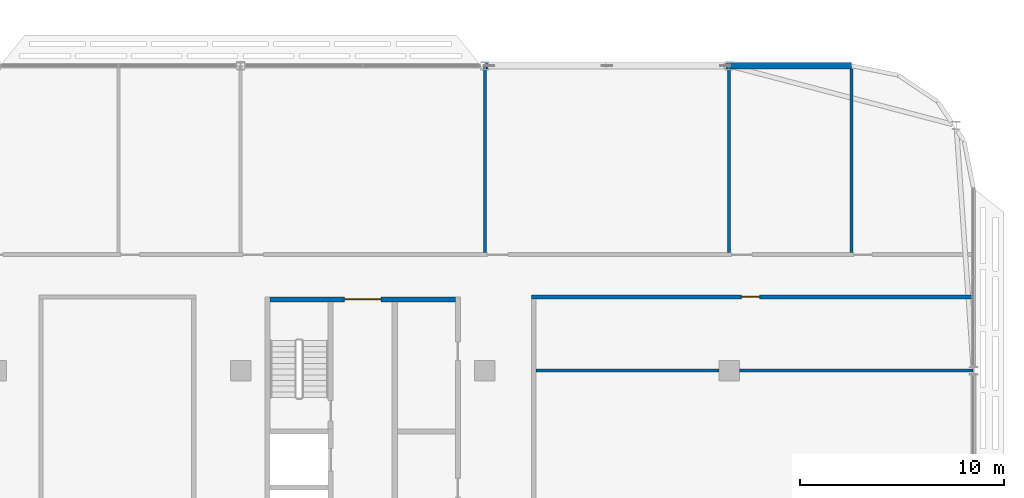
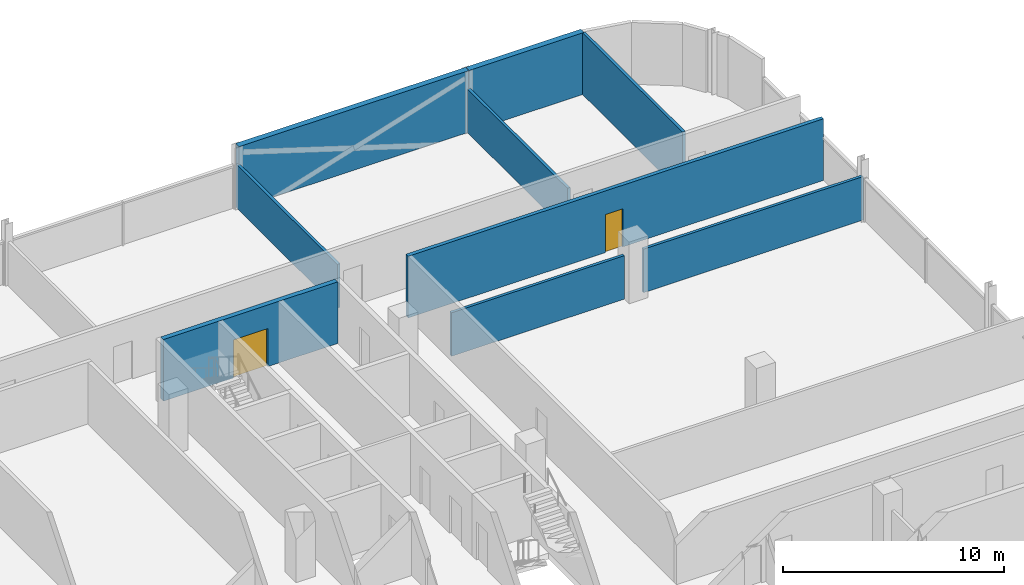
# One storey, part 22 of 33: 9 walls, 2 doors, 2 openings.
"""IFC4 building model written with IfcOpenShell, lengths in metres."""

import ifcopenshell
import ifcopenshell.guid

model = None  # the IFC model being written
_history = None  # IfcOwnerHistory: only IFC2X3 demands one
_inside = {}  # id of a spatial element -> (the spatial element, [elements in it])
_under = {}  # id of a project, library or spatial element -> (it, [spatial elements below it])
_declared = {}  # id of a project -> (the project, [libraries it declares])
_typed = {}  # id of a type object -> (the type object, [elements of that type])
_made_of = {}  # id of a material, layer set ... -> (it, [elements and type objects made of it])


def new_model(schema):
    """Start an empty IFC model of exactly this schema.

    Asked for "IFC4X3", IfcOpenShell would pick the latest addendum, in which some entities
    have other attributes; the version numbers below select the first issue.
    IFC2X3 requires an IfcOwnerHistory on every rooted entity: one is made here for all.
    """
    global model, _history
    if schema == "IFC4X3":
        model = ifcopenshell.file(schema_version=(4, 3, 0, 0))
    else:
        model = ifcopenshell.file(schema=schema)
    _inside.clear()
    _under.clear()
    _declared.clear()
    _typed.clear()
    _made_of.clear()
    _history = None
    if model.schema == "IFC2X3":
        org = make("IfcOrganization", Name="unknown")
        user = make(
            "IfcPersonAndOrganization",
            ThePerson=make("IfcPerson", FamilyName="unknown"),
            TheOrganization=org,
        )
        app = make(
            "IfcApplication",
            ApplicationDeveloper=org,
            Version="unknown",
            ApplicationFullName="unknown",
            ApplicationIdentifier="unknown",
        )
        _history = make(
            "IfcOwnerHistory",
            OwningUser=user,
            OwningApplication=app,
            ChangeAction="ADDED",
            CreationDate=0,
        )
    return model


def make(cls, **values):
    """One entity of the class cls with the attributes given. An attribute that is None is left unset."""
    return model.create_entity(
        cls, **{name: value for name, value in values.items() if value is not None}
    )


def rooted(cls, **values):
    """An entity with a GlobalId (a new one), such as an element, a storey or a relation."""
    return make(cls, GlobalId=ifcopenshell.guid.new(), OwnerHistory=_history, **values)


def si_unit(unit_type, name, prefix=None):
    """IfcSIUnit, for example si_unit("LENGTHUNIT", "METRE", prefix="MILLI")."""
    return make("IfcSIUnit", UnitType=unit_type, Prefix=prefix, Name=name)


def assignment(units):
    """IfcUnitAssignment: the units of a project."""
    return None if units is None else make("IfcUnitAssignment", Units=units)


def point(xyz):
    """IfcCartesianPoint."""
    return None if xyz is None else make("IfcCartesianPoint", Coordinates=xyz)


def direction(xyz):
    """IfcDirection."""
    return None if xyz is None else make("IfcDirection", DirectionRatios=xyz)


def frame(location, z_axis=None, x_axis=None):
    """IfcAxis2Placement3D, a coordinate frame: its origin and axes. An axis left out is left unset."""
    return make(
        "IfcAxis2Placement3D",
        Location=point(location),
        Axis=direction(z_axis),
        RefDirection=direction(x_axis),
    )


def frame_2d(location, x_axis=None):
    """IfcAxis2Placement2D, a coordinate frame in the plane: its origin and x axis."""
    return make(
        "IfcAxis2Placement2D", Location=point(location), RefDirection=direction(x_axis)
    )


def origin():
    """The frame at (0, 0, 0) with its axes left unset."""
    return frame((0.0, 0.0, 0.0))


def place(relative_to, where):
    """IfcLocalPlacement: puts the frame where relative to a parent placement (None: the world)."""
    return make(
        "IfcLocalPlacement", PlacementRelTo=relative_to, RelativePlacement=where
    )


def context(
    kind, dimensions, precision=None, world=None, true_north=None, identifier=None
):
    """IfcGeometricRepresentationContext, for example the 3D "Model" context."""
    return make(
        "IfcGeometricRepresentationContext",
        ContextIdentifier=identifier,
        ContextType=kind,
        CoordinateSpaceDimension=dimensions,
        Precision=precision,
        WorldCoordinateSystem=world,
        TrueNorth=true_north,
    )


def subcontext(parent, identifier, kind, view, scale=None):
    """IfcGeometricRepresentationSubContext, for example "Body" below "Model"."""
    return make(
        "IfcGeometricRepresentationSubContext",
        ContextIdentifier=identifier,
        ContextType=kind,
        ParentContext=parent,
        TargetScale=scale,
        TargetView=view,
    )


def project(units=None, contexts=None):
    """IfcProject with its units and contexts."""
    return rooted(
        "IfcProject",
        Name="project",
        RepresentationContexts=contexts,
        UnitsInContext=assignment(units),
    )


def spatial(cls, under=None, at=None, **own):
    """A site, building, storey or space (cls), placed at a placement, below another one or the project."""
    s = rooted(cls, ObjectPlacement=at, **own)
    if under is not None:
        _under.setdefault(under.id(), (under, []))[1].append(s)
    return s


def profile(cls, at=None, kind="AREA", **sizes):
    """A parametric profile (cls). Its sizes go by their IFC names, for example OverallWidth=200.0."""
    return make(cls, ProfileType=kind, Position=at, **sizes)


def rectangle(**sizes):
    """IfcRectangleProfileDef."""
    return profile("IfcRectangleProfileDef", **sizes)


def extrude(swept, where, along, depth):
    """IfcExtrudedAreaSolid: the profile swept, set in the frame where, extruded along a direction by depth."""
    return make(
        "IfcExtrudedAreaSolid",
        SweptArea=swept,
        Position=where,
        ExtrudedDirection=direction(along),
        Depth=depth,
    )


def shape(context_of_items, identifier, shape_type, items):
    """IfcShapeRepresentation: the items that make up one representation, for example the "Body"."""
    return make(
        "IfcShapeRepresentation",
        ContextOfItems=context_of_items,
        RepresentationIdentifier=identifier,
        RepresentationType=shape_type,
        Items=items,
    )


def material(Name=None, Category=None):
    """IfcMaterial."""
    return make("IfcMaterial", Name=Name, Category=Category)


def layer(
    of_material, thickness, ventilated=None, Name=None, Category=None, Priority=None
):
    """IfcMaterialLayer: one layer of a wall or slab, of a material (None: an air gap)."""
    return make(
        "IfcMaterialLayer",
        Material=of_material,
        LayerThickness=thickness,
        IsVentilated=ventilated,
        Name=Name,
        Category=Category,
        Priority=Priority,
    )


def layer_set(layers, Name=None):
    """IfcMaterialLayerSet."""
    return make("IfcMaterialLayerSet", MaterialLayers=layers, LayerSetName=Name)


def made_of(thing, what):
    """Note that an element or type object is made of a material, layer set ...; save() writes the relation."""
    if what is not None:
        _made_of.setdefault(what.id(), (what, []))[1].append(thing)
    return thing


def type_object(cls, material=None, **own):
    """A type object (cls), such as IfcWallType, which elements share."""
    return made_of(rooted(cls, **own), material)


def element(
    cls,
    number,
    at=None,
    inside=None,
    cuts=None,
    type_object=None,
    material=None,
    context=None,
    identifier="Body",
    shape_type=None,
    held_by="IfcProductDefinitionShape",
    body=None,
    shapes=None,
    **own,
):
    """One element of the class cls, such as IfcWall. Its Tag is "e" and its number.

    at: its placement. inside: the storey or other place that contains it. cuts: it is an
    opening in that element (IfcRelVoidsElement). A single representation is given by context,
    identifier, shape_type and body (its items); several are given by shapes. held_by: the class
    of the entity that holds the representations. save() writes the other relations.
    """
    e = rooted(cls, Tag="e%d" % number, ObjectPlacement=at, **own)
    if body is not None:
        shapes = [shape(context, identifier, shape_type, body)]
    if shapes is not None:
        e.Representation = make(held_by, Representations=shapes)
    if inside is not None:
        _inside.setdefault(inside.id(), (inside, []))[1].append(e)
    if cuts is not None:
        rooted(
            "IfcRelVoidsElement", RelatingBuildingElement=cuts, RelatedOpeningElement=e
        )
    if type_object is not None:
        _typed.setdefault(type_object.id(), (type_object, []))[1].append(e)
    return made_of(e, material)


def fill(opening, filler):
    """IfcRelFillsElement: the door or window that sits in an opening."""
    return rooted(
        "IfcRelFillsElement",
        RelatingOpeningElement=opening,
        RelatedBuildingElement=filler,
    )


def aggregate(whole, parts):
    """IfcRelAggregates: a whole, such as a stair, and the parts it consists of."""
    return rooted("IfcRelAggregates", RelatingObject=whole, RelatedObjects=parts)


def save(model, path):
    """Write the relations noted so far, then the file.

    IfcRelAggregates (storeys below a building ...), IfcRelContainedInSpatialStructure (elements
    in a storey), IfcRelDefinesByType, IfcRelAssociatesMaterial and IfcRelDeclares: one each for
    every whole, place, type object, material and project.
    """
    for whole, parts in _under.values():
        aggregate(whole, parts)
    for where, things in _inside.values():
        rooted(
            "IfcRelContainedInSpatialStructure",
            RelatedElements=things,
            RelatingStructure=where,
        )
    for kind, things in _typed.values():
        rooted("IfcRelDefinesByType", RelatedObjects=things, RelatingType=kind)
    for what, things in _made_of.values():
        rooted("IfcRelAssociatesMaterial", RelatedObjects=things, RelatingMaterial=what)
    for by, libraries in _declared.values():
        rooted("IfcRelDeclares", RelatingContext=by, RelatedDefinitions=libraries)
    model.write(path)


model = new_model("IFC4")

# Units and contexts
model_context = context("Model", 3, precision=1e-05, world=origin(), true_north=direction((0.0, 1.0)))
body_context = subcontext(model_context, "Body", "Model", "MODEL_VIEW")
ifc_project = project(units=[si_unit("LENGTHUNIT", "METRE"), si_unit("AREAUNIT", "SQUARE_METRE"), si_unit("VOLUMEUNIT", "CUBIC_METRE"), si_unit("PLANEANGLEUNIT", "RADIAN"), si_unit("MASSUNIT", "GRAM", prefix="KILO")], contexts=[model_context])

# Site, building, storey
site_placement = place(None, origin())
site = spatial("IfcSite", under=ifc_project, at=site_placement, CompositionType="ELEMENT")
building_placement = place(site_placement, origin())
building = spatial("IfcBuilding", under=site, at=building_placement, Name="Mahtab Terrace Research Tower", CompositionType="ELEMENT")
storey_placement = place(building_placement, frame((0.0, 0.0, 255.199951171875)))
storey = spatial("IfcBuildingStorey", under=building, at=storey_placement, Name="L62", CompositionType="ELEMENT", Elevation=255.199951171875)

# Wall, opening, door
ifc_material_1 = material(Name="Concrete C70/85", Category="concrete")
ifc_layer_1 = layer(ifc_material_1, 0.25)
ifc_layer_set_1 = layer_set([ifc_layer_1], Name="Core wall 250")
wall_type_1 = type_object("IfcWallType", Name="Core wall 250", PredefinedType="SOLIDWALL", material=ifc_layer_set_1)
wall_1_placement = place(storey_placement, frame((19.449951171875, 15.0, 0.0), z_axis=(0.0, 0.0, 1.0), x_axis=(1.0, 0.0, 0.0)))
wall_1 = element("IfcWall", 1, at=wall_1_placement, inside=storey, type_object=wall_type_1, Name="Core wall C endN", PredefinedType="SOLIDWALL", context=body_context, shape_type="SweptSolid", body=[
    extrude(rectangle(XDim=9.10009765625, YDim=0.25, at=frame_2d((4.550048828125, 0.0))), origin(), (0.0, 0.0, 1.0), 3.400146484375),
])
opening_1_placement = place(wall_1_placement, frame((3.64990234375, 0.0, 0.0)))
opening_1 = element("IfcOpeningElement", 2, at=opening_1_placement, cuts=wall_1, Name="Opening C-N1", PredefinedType="OPENING", context=body_context, shape_type="SweptSolid", body=[
    extrude(rectangle(XDim=1.800048828125, YDim=2.10009765625, at=frame_2d((0.89990234375, 1.050048828125))), frame((0.0, 0.135009765625, 0.0), z_axis=(0.0, -1.0, 0.0), x_axis=(1.0, 0.0, 0.0)), (0.0, 0.0, 1.0), 0.27001953125),
])
ifc_material_2 = material(Name="Steel fire door", Category="steel")
door_type_1 = type_object("IfcDoorType", Name="Lobby double door 1800x2100 1 HR", OperationType="DOUBLE_DOOR_SINGLE_SWING", PredefinedType="DOOR", material=ifc_material_2)
door_1_placement = place(opening_1_placement, origin())
door_1 = element("IfcDoor", 3, at=door_1_placement, inside=storey, type_object=door_type_1, Name="Core entrance door C N", OperationType="DOUBLE_DOOR_SINGLE_SWING", OverallHeight=2.10009765625, OverallWidth=1.800048828125, PredefinedType="DOOR", context=body_context, shape_type="SweptSolid", body=[
    extrude(rectangle(XDim=1.800048828125, YDim=2.10009765625, at=frame_2d((0.89990234375, 1.050048828125))), frame((0.0, 0.02490234375, 0.0), z_axis=(0.0, -1.0, 0.0), x_axis=(1.0, 0.0, 0.0)), (0.0, 0.0, 1.0), 0.050048828125),
])
fill(opening_1, door_1)

# Walls
ifc_material_3 = material(Name="Black aluminium cladding panel", Category="aluminium")
ifc_layer_2 = layer(ifc_material_3, 0.300048828125)
ifc_layer_set_2 = layer_set([ifc_layer_2], Name="Opaque facade wall 300")
wall_type_2 = type_object("IfcWallType", Name="Opaque facade wall 300", PredefinedType="NOTDEFINED", material=ifc_layer_set_2)
wall_2_placement = place(storey_placement, frame((48.0, 26.472900390625, 0.0), z_axis=(0.0, 0.0, 1.0), x_axis=(-1.0, 0.0, 0.0)))
element("IfcWall", 4, at=wall_2_placement, inside=storey, type_object=wall_type_2, Name="Opaque facade wall L62 N4", PredefinedType="NOTDEFINED", context=body_context, shape_type="SweptSolid", body=[
    extrude(rectangle(XDim=5.989501953125, YDim=0.300048828125, at=frame_2d((2.99462890625, 0.0))), origin(), (0.0, 0.0, 1.0), 3.400146484375),
])
wall_3_placement = place(storey_placement, frame((41.989501953125, 26.472900390625, 0.0), z_axis=(0.0, 0.0, 1.0), x_axis=(-1.0, 0.0, 0.0)))
element("IfcWall", 5, at=wall_3_placement, inside=storey, type_object=wall_type_2, Name="Opaque facade wall L62 N5", PredefinedType="NOTDEFINED", context=body_context, shape_type="SweptSolid", body=[
    extrude(rectangle(XDim=11.97900390625, YDim=0.300048828125, at=frame_2d((5.989501953125, 0.0))), origin(), (0.0, 0.0, 1.0), 3.400146484375),
])

# Wall, opening, door
ifc_material_4 = material(Name="Gypsum board corridor wall on steel studs", Category="steel")
ifc_layer_3 = layer(ifc_material_4, 0.199951171875)
ifc_layer_set_3 = layer_set([ifc_layer_3], Name="WALL CORRIDOR 200")
wall_type_3 = type_object("IfcWallType", Name="WALL CORRIDOR 200", PredefinedType="PARTITIONING", material=ifc_layer_set_3)
wall_4_placement = place(storey_placement, frame((32.300048828125, 15.125, 0.0), z_axis=(0.0, 0.0, 1.0), x_axis=(1.0, 0.0, 0.0)))
wall_4 = element("IfcWall", 6, at=wall_4_placement, inside=storey, type_object=wall_type_3, Name="L62-W023", PredefinedType="PARTITIONING", context=body_context, shape_type="SweptSolid", body=[
    extrude(rectangle(XDim=21.675048828125, YDim=0.199951171875, at=frame_2d((10.83740234375, 0.0))), origin(), (0.0, 0.0, 1.0), 3.400146484375),
])
opening_2_placement = place(wall_4_placement, frame((10.300048828125, 0.0, 0.0)))
opening_2 = element("IfcOpeningElement", 7, at=opening_2_placement, cuts=wall_4, Name="Opening L62-125", PredefinedType="OPENING", context=body_context, shape_type="SweptSolid", body=[
    extrude(rectangle(XDim=0.89990234375, YDim=2.10009765625, at=frame_2d((0.449951171875, 1.050048828125))), frame((0.0, 0.10986328125, 0.0), z_axis=(0.0, -1.0, 0.0), x_axis=(1.0, 0.0, 0.0)), (0.0, 0.0, 1.0), 0.219970703125),
])
ifc_material_5 = material(Name="Timber door leaf in steel frame", Category="steel")
door_type_2 = type_object("IfcDoorType", Name="DOOR 0900X2100 FD30S", OperationType="SINGLE_SWING_LEFT", PredefinedType="DOOR", material=ifc_material_5)
door_2_placement = place(opening_2_placement, origin())
door_2 = element("IfcDoor", 8, at=door_2_placement, inside=storey, type_object=door_type_2, Name="Door L62-125", OperationType="SINGLE_SWING_RIGHT", OverallHeight=2.10009765625, OverallWidth=0.89990234375, PredefinedType="DOOR", context=body_context, shape_type="SweptSolid", body=[
    extrude(rectangle(XDim=0.89990234375, YDim=2.10009765625, at=frame_2d((0.449951171875, 1.050048828125))), frame((0.0, 0.02490234375, 0.0), z_axis=(0.0, -1.0, 0.0), x_axis=(1.0, 0.0, 0.0)), (0.0, 0.0, 1.0), 0.050048828125),
])
fill(opening_2, door_2)

# Walls
ifc_material_6 = material(Name="Gypsum board partition on steel studs", Category="steel")
ifc_layer_4 = layer(ifc_material_6, 0.14990234375)
ifc_layer_set_4 = layer_set([ifc_layer_4], Name="WALL PARTITION 150")
wall_type_4 = type_object("IfcWallType", Name="WALL PARTITION 150", PredefinedType="PARTITIONING", material=ifc_layer_set_4)
wall_5_placement = place(storey_placement, frame((32.5, 11.5, 0.0), z_axis=(0.0, 0.0, 1.0), x_axis=(1.0, 0.0, 0.0)))
element("IfcWall", 9, at=wall_5_placement, inside=storey, type_object=wall_type_4, Name="L62-W018", PredefinedType="PARTITIONING", context=body_context, shape_type="SweptSolid", body=[
    extrude(rectangle(XDim=9.0, YDim=0.14990234375, at=frame_2d((4.5, 0.0))), origin(), (0.0, 0.0, 1.0), 2.4013671875),
])
wall_6_placement = place(storey_placement, frame((42.5, 11.5, 0.0), z_axis=(0.0, 0.0, 1.0), x_axis=(1.0, 0.0, 0.0)))
element("IfcWall", 10, at=wall_6_placement, inside=storey, type_object=wall_type_4, Name="L62-W019", PredefinedType="PARTITIONING", context=body_context, shape_type="SweptSolid", body=[
    extrude(rectangle(XDim=11.47509765625, YDim=0.14990234375, at=frame_2d((5.737548828125, 0.0))), origin(), (0.0, 0.0, 1.0), 2.4013671875),
])
wall_7_placement = place(storey_placement, frame((30.0, 17.300048828125, 0.0), z_axis=(0.0, 0.0, 1.0), x_axis=(0.0, 1.0, 0.0)))
element("IfcWall", 11, at=wall_7_placement, inside=storey, type_object=wall_type_4, Name="L62-W049", PredefinedType="PARTITIONING", context=body_context, shape_type="SweptSolid", body=[
    extrude(rectangle(XDim=9.14794921875, YDim=0.14990234375, at=frame_2d((4.573974609375, 0.0))), origin(), (0.0, 0.0, 1.0), 2.4013671875),
])
wall_8_placement = place(storey_placement, frame((42.0, 17.300048828125, 0.0), z_axis=(0.0, 0.0, 1.0), x_axis=(0.0, 1.0, 0.0)))
element("IfcWall", 12, at=wall_8_placement, inside=storey, type_object=wall_type_4, Name="L62-W053", PredefinedType="PARTITIONING", context=body_context, shape_type="SweptSolid", body=[
    extrude(rectangle(XDim=9.02294921875, YDim=0.14990234375, at=frame_2d((4.511474609375, 0.0))), origin(), (0.0, 0.0, 1.0), 2.4013671875),
])
wall_9_placement = place(storey_placement, frame((48.0, 17.300048828125, 0.0), z_axis=(0.0, 0.0, 1.0), x_axis=(0.0, 1.0, 0.0)))
element("IfcWall", 13, at=wall_9_placement, inside=storey, type_object=wall_type_4, Name="L62-W054", PredefinedType="PARTITIONING", context=body_context, shape_type="SweptSolid", body=[
    extrude(rectangle(XDim=9.02001953125, YDim=0.14990234375, at=frame_2d((4.510009765625, 0.0))), origin(), (0.0, 0.0, 1.0), 3.400146484375),
])

save(model, "model.ifc")
